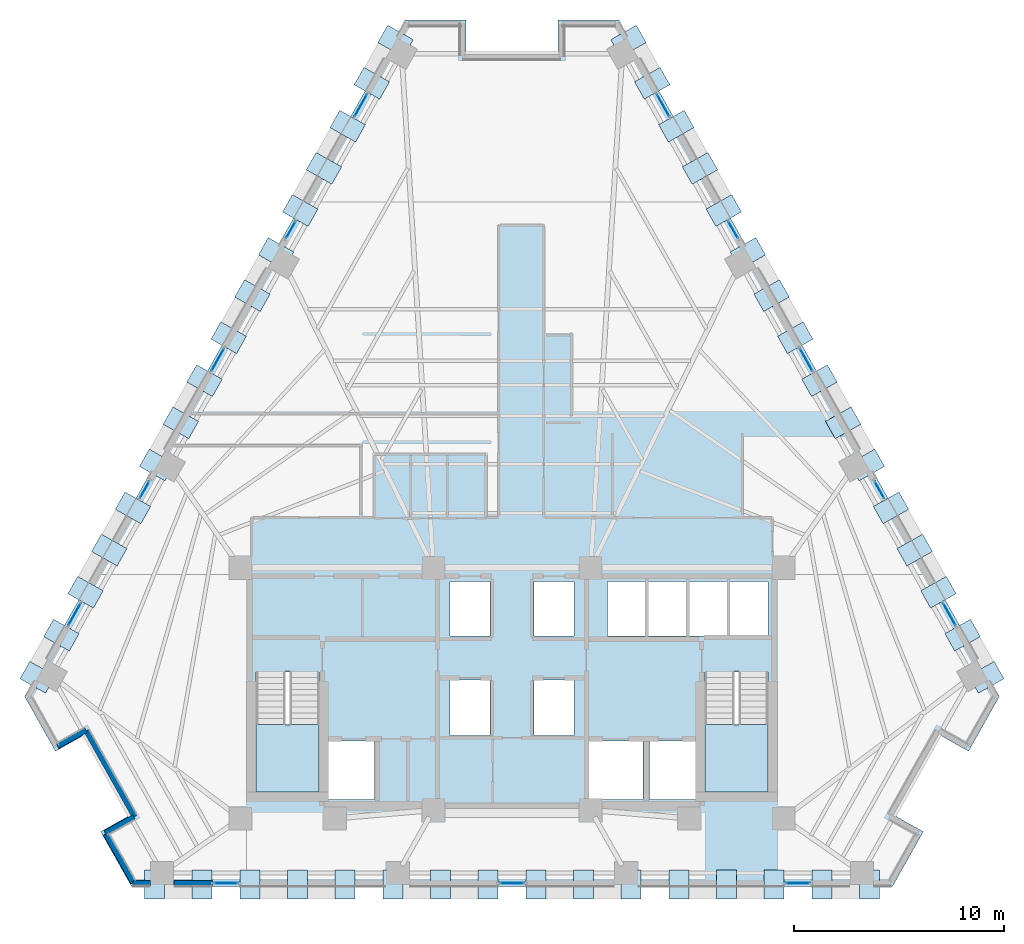
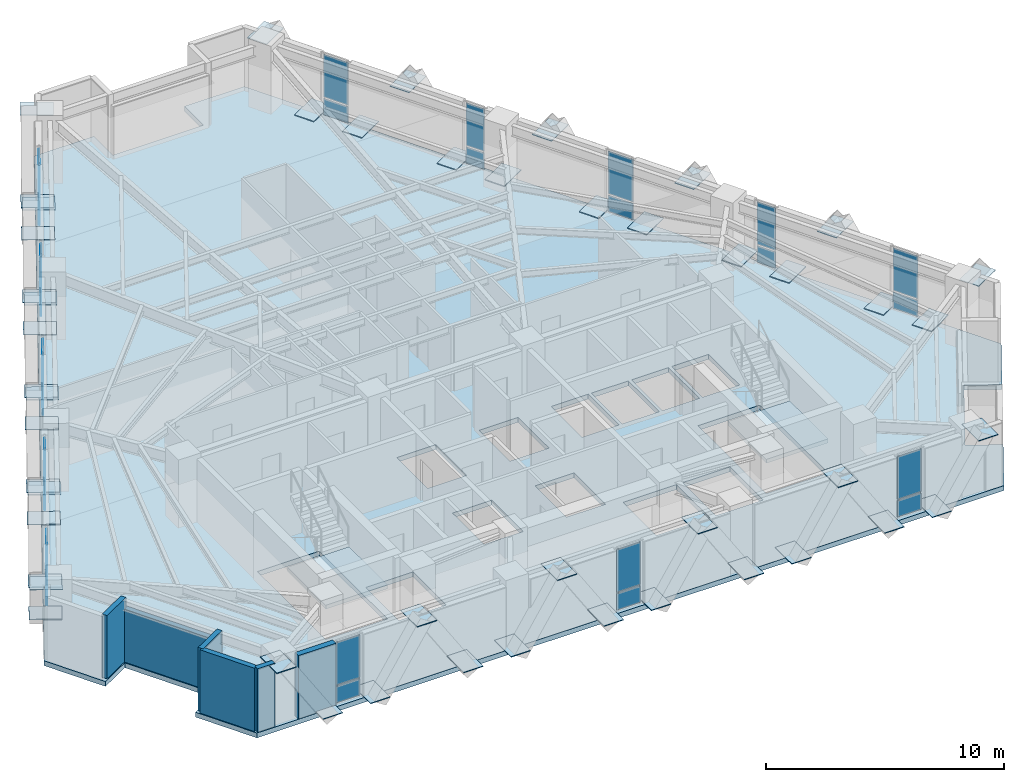
# One storey, part 6 of 13: 74 plates, 6 walls, 3 slabs, 15 elements without a shape of their own.
"""IFC4 building model written with IfcOpenShell, lengths in metres."""

from ifc_helpers import new_model, si_unit, direction, frame, frame_2d, origin, origin_2d, place, context, subcontext, project, spatial, polyline, rectangle, outline, extrude, material, layer, layer_set, type_object, element, aggregate, save


model = new_model("IFC4")

# Units and contexts
model_context = context("Model", 3, precision=1e-05, world=origin(), true_north=direction((0.0, 1.0)))
body_context = subcontext(model_context, "Body", "Model", "MODEL_VIEW")
ifc_project = project(units=[si_unit("LENGTHUNIT", "METRE"), si_unit("AREAUNIT", "SQUARE_METRE"), si_unit("VOLUMEUNIT", "CUBIC_METRE"), si_unit("PLANEANGLEUNIT", "RADIAN"), si_unit("MASSUNIT", "GRAM", prefix="KILO")], contexts=[model_context])

# Site, building, storey
site_placement = place(None, origin())
site = spatial("IfcSite", under=ifc_project, at=site_placement, CompositionType="ELEMENT")
building_placement = place(site_placement, origin())
building = spatial("IfcBuilding", under=site, at=building_placement, Name="Quenlor Broadcast Tower", CompositionType="ELEMENT")
storey_placement = place(building_placement, frame((0.0, 0.0, 105.5)))
storey = spatial("IfcBuildingStorey", under=building, at=storey_placement, Name="L28", CompositionType="ELEMENT", Elevation=105.5)

# Curtain wall, plates
ifc_material_1 = material(Name="Architectural Terracotta and Low-E Glazing", Category="masonry")
curtain_wall_type = type_object("IfcCurtainWallType", Name="Unitised Terracotta Curtain Wall System Z2", PredefinedType="NOTDEFINED", material=ifc_material_1)
curtain_wall_1_placement = place(storey_placement, origin())
curtain_wall_1 = element("IfcCurtainWall", 1, at=curtain_wall_1_placement, inside=storey, type_object=curtain_wall_type, Name="L28 Curtain Wall CW2 (L28-SA-G1)", PredefinedType="NOTDEFINED")
ifc_material_2 = material(Name="Double Glazed Low-E Solar Glass", Category="glass")
ifc_layer_1 = layer(ifc_material_2, 0.030029296875)
ifc_layer_set_1 = layer_set([ifc_layer_1], Name="CW2 Double Glazed Vision Panel 30")
plate_type_1 = type_object("IfcPlateType", Name="CW2 Double Glazed Vision Panel 30", PredefinedType="CURTAIN_PANEL", material=ifc_layer_set_1)
plate_1_placement = place(storey_placement, frame((13.63525390625, -19.840087890625, 0.074951171875), z_axis=(0.0, 0.0, 1.0), x_axis=(-1.0, 0.0, 0.0)))
plate_1 = element("IfcPlate", 2, at=plate_1_placement, type_object=plate_type_1, Name="CW2 panel 1.1", PredefinedType="CURTAIN_PANEL", context=body_context, shape_type="SweptSolid", body=[
    extrude(rectangle(XDim=1.1630859375, YDim=0.030029296875, at=origin_2d()), origin(), (0.0, 0.0, 1.0), 0.83740234375),
])
plate_2_placement = place(storey_placement, frame((13.63525390625, -19.840087890625, 0.987548828125), z_axis=(0.0, 0.0, 1.0), x_axis=(-1.0, 0.0, 0.0)))
plate_2 = element("IfcPlate", 3, at=plate_2_placement, type_object=plate_type_1, Name="CW2 panel 1.2", PredefinedType="CURTAIN_PANEL", context=body_context, shape_type="SweptSolid", body=[
    extrude(rectangle(XDim=1.1630859375, YDim=0.030029296875, at=origin_2d()), origin(), (0.0, 0.0, 1.0), 2.1875),
])
aggregate(curtain_wall_1, [plate_1, plate_2])

curtain_wall_2_placement = place(storey_placement, origin())
curtain_wall_2 = element("IfcCurtainWall", 4, at=curtain_wall_2_placement, inside=storey, type_object=curtain_wall_type, Name="L28 Curtain Wall CW2 (L28-SC-G1)", PredefinedType="NOTDEFINED")
plate_3_placement = place(storey_placement, frame((-13.63525390625, -19.840087890625, 0.074951171875), z_axis=(0.0, 0.0, 1.0), x_axis=(-1.0, 0.0, 0.0)))
plate_3 = element("IfcPlate", 5, at=plate_3_placement, type_object=plate_type_1, Name="CW2 panel 1.1", PredefinedType="CURTAIN_PANEL", context=body_context, shape_type="SweptSolid", body=[
    extrude(rectangle(XDim=1.1630859375, YDim=0.030029296875, at=origin_2d()), origin(), (0.0, 0.0, 1.0), 0.83740234375),
])
plate_4_placement = place(storey_placement, frame((-13.63525390625, -19.840087890625, 0.987548828125), z_axis=(0.0, 0.0, 1.0), x_axis=(-1.0, 0.0, 0.0)))
plate_4 = element("IfcPlate", 6, at=plate_4_placement, type_object=plate_type_1, Name="CW2 panel 1.2", PredefinedType="CURTAIN_PANEL", context=body_context, shape_type="SweptSolid", body=[
    extrude(rectangle(XDim=1.1630859375, YDim=0.030029296875, at=origin_2d()), origin(), (0.0, 0.0, 1.0), 2.1875),
])
aggregate(curtain_wall_2, [plate_3, plate_4])

curtain_wall_3_placement = place(storey_placement, origin())
curtain_wall_3 = element("IfcCurtainWall", 7, at=curtain_wall_3_placement, inside=storey, type_object=curtain_wall_type, Name="L28 Curtain Wall CW2 (L28-S-G1)", PredefinedType="NOTDEFINED")
plate_5_placement = place(storey_placement, frame((0.0, -19.840087890625, 0.074951171875), z_axis=(0.0, 0.0, 1.0), x_axis=(-1.0, 0.0, 0.0)))
plate_5 = element("IfcPlate", 8, at=plate_5_placement, type_object=plate_type_1, Name="CW2 panel 1.1", PredefinedType="CURTAIN_PANEL", context=body_context, shape_type="SweptSolid", body=[
    extrude(rectangle(XDim=1.1630859375, YDim=0.030029296875, at=origin_2d()), origin(), (0.0, 0.0, 1.0), 0.83740234375),
])
plate_6_placement = place(storey_placement, frame((0.0, -19.840087890625, 0.987548828125), z_axis=(0.0, 0.0, 1.0), x_axis=(-1.0, 0.0, 0.0)))
plate_6 = element("IfcPlate", 9, at=plate_6_placement, type_object=plate_type_1, Name="CW2 panel 1.2", PredefinedType="CURTAIN_PANEL", context=body_context, shape_type="SweptSolid", body=[
    extrude(rectangle(XDim=1.1630859375, YDim=0.030029296875, at=origin_2d()), origin(), (0.0, 0.0, 1.0), 2.1875),
])
aggregate(curtain_wall_3, [plate_5, plate_6])

curtain_wall_4_placement = place(storey_placement, origin())
curtain_wall_4 = element("IfcCurtainWall", 10, at=curtain_wall_4_placement, inside=storey, type_object=curtain_wall_type, Name="L28 Curtain Wall CW2 (L28-NEA-G1)", PredefinedType="NOTDEFINED")
plate_7_placement = place(storey_placement, frame((7.209228515625, 17.257080078125, 0.074951171875), z_axis=(0.0, 0.0, 1.0), x_axis=(0.490247320704, -0.871583366376, 0.0)))
plate_7 = element("IfcPlate", 11, at=plate_7_placement, type_object=plate_type_1, Name="CW2 panel 1.1", PredefinedType="CURTAIN_PANEL", context=body_context, shape_type="SweptSolid", body=[
    extrude(rectangle(XDim=1.21435546875, YDim=0.030029296875, at=origin_2d()), origin(), (0.0, 0.0, 1.0), 0.83740234375),
])
plate_8_placement = place(storey_placement, frame((7.209228515625, 17.257080078125, 0.987548828125), z_axis=(0.0, 0.0, 1.0), x_axis=(0.490247320704, -0.871583366376, 0.0)))
plate_8 = element("IfcPlate", 12, at=plate_8_placement, type_object=plate_type_1, Name="CW2 panel 1.2", PredefinedType="CURTAIN_PANEL", context=body_context, shape_type="SweptSolid", body=[
    extrude(rectangle(XDim=1.21435546875, YDim=0.030029296875, at=origin_2d()), origin(), (0.0, 0.0, 1.0), 2.1875),
])
aggregate(curtain_wall_4, [plate_7, plate_8])

curtain_wall_5_placement = place(storey_placement, origin())
curtain_wall_5 = element("IfcCurtainWall", 13, at=curtain_wall_5_placement, inside=storey, type_object=curtain_wall_type, Name="L28 Curtain Wall CW2 (L28-NEA-G2)", PredefinedType="NOTDEFINED")
plate_9_placement = place(storey_placement, frame((10.54736328125, 11.322998046875, 0.074951171875), z_axis=(0.0, 0.0, 1.0), x_axis=(0.490252261371, -0.871580587336, 0.0)))
plate_9 = element("IfcPlate", 14, at=plate_9_placement, type_object=plate_type_1, Name="CW2 panel 1.1", PredefinedType="CURTAIN_PANEL", context=body_context, shape_type="SweptSolid", body=[
    extrude(rectangle(XDim=0.90771484375, YDim=0.030029296875, at=origin_2d()), origin(), (0.0, 0.0, 1.0), 0.83740234375),
])
plate_10_placement = place(storey_placement, frame((10.54736328125, 11.322998046875, 0.987548828125), z_axis=(0.0, 0.0, 1.0), x_axis=(0.490252261371, -0.871580587336, 0.0)))
plate_10 = element("IfcPlate", 15, at=plate_10_placement, type_object=plate_type_1, Name="CW2 panel 1.2", PredefinedType="CURTAIN_PANEL", context=body_context, shape_type="SweptSolid", body=[
    extrude(rectangle(XDim=0.90771484375, YDim=0.030029296875, at=origin_2d()), origin(), (0.0, 0.0, 1.0), 2.1875),
])
aggregate(curtain_wall_5, [plate_9, plate_10])

curtain_wall_6_placement = place(storey_placement, origin())
curtain_wall_6 = element("IfcCurtainWall", 16, at=curtain_wall_6_placement, inside=storey, type_object=curtain_wall_type, Name="L28 Curtain Wall CW2 (L28-NEC-G1)", PredefinedType="NOTDEFINED")
plate_11_placement = place(storey_placement, frame((17.523681640625, -1.079833984375, 0.074951171875), z_axis=(0.0, 0.0, 1.0), x_axis=(0.490252261371, -0.871580587336, 0.0)))
plate_11 = element("IfcPlate", 17, at=plate_11_placement, type_object=plate_type_1, Name="CW2 panel 1.1", PredefinedType="CURTAIN_PANEL", context=body_context, shape_type="SweptSolid", body=[
    extrude(rectangle(XDim=0.90771484375, YDim=0.030029296875, at=origin_2d()), origin(), (0.0, 0.0, 1.0), 0.83740234375),
])
plate_12_placement = place(storey_placement, frame((17.523681640625, -1.079833984375, 0.987548828125), z_axis=(0.0, 0.0, 1.0), x_axis=(0.490252261371, -0.871580587336, 0.0)))
plate_12 = element("IfcPlate", 18, at=plate_12_placement, type_object=plate_type_1, Name="CW2 panel 1.2", PredefinedType="CURTAIN_PANEL", context=body_context, shape_type="SweptSolid", body=[
    extrude(rectangle(XDim=0.90771484375, YDim=0.030029296875, at=origin_2d()), origin(), (0.0, 0.0, 1.0), 2.1875),
])
aggregate(curtain_wall_6, [plate_11, plate_12])

curtain_wall_7_placement = place(storey_placement, origin())
curtain_wall_7 = element("IfcCurtainWall", 19, at=curtain_wall_7_placement, inside=storey, type_object=curtain_wall_type, Name="L28 Curtain Wall CW2 (L28-NEC-G2)", PredefinedType="NOTDEFINED")
plate_13_placement = place(storey_placement, frame((20.861572265625, -7.013916015625, 0.074951171875), z_axis=(0.0, 0.0, 1.0), x_axis=(0.490278639232, -0.871565749621, 0.0)))
plate_13 = element("IfcPlate", 20, at=plate_13_placement, type_object=plate_type_1, Name="CW2 panel 1.1", PredefinedType="CURTAIN_PANEL", context=body_context, shape_type="SweptSolid", body=[
    extrude(rectangle(XDim=1.21435546875, YDim=0.030029296875, at=origin_2d()), origin(), (0.0, 0.0, 1.0), 0.83740234375),
])
plate_14_placement = place(storey_placement, frame((20.861572265625, -7.013916015625, 0.987548828125), z_axis=(0.0, 0.0, 1.0), x_axis=(0.490278639232, -0.871565749621, 0.0)))
plate_14 = element("IfcPlate", 21, at=plate_14_placement, type_object=plate_type_1, Name="CW2 panel 1.2", PredefinedType="CURTAIN_PANEL", context=body_context, shape_type="SweptSolid", body=[
    extrude(rectangle(XDim=1.21435546875, YDim=0.030029296875, at=origin_2d()), origin(), (0.0, 0.0, 1.0), 2.1875),
])
aggregate(curtain_wall_7, [plate_13, plate_14])

curtain_wall_8_placement = place(storey_placement, origin())
curtain_wall_8 = element("IfcCurtainWall", 22, at=curtain_wall_8_placement, inside=storey, type_object=curtain_wall_type, Name="L28 Curtain Wall CW2 (L28-NE-G1)", PredefinedType="NOTDEFINED")
plate_15_placement = place(storey_placement, frame((14.035400390625, 5.12158203125, 0.074951171875), z_axis=(0.0, 0.0, 1.0), x_axis=(0.490254279037, -0.871579452423, 0.0)))
plate_15 = element("IfcPlate", 23, at=plate_15_placement, type_object=plate_type_1, Name="CW2 panel 1.1", PredefinedType="CURTAIN_PANEL", context=body_context, shape_type="SweptSolid", body=[
    extrude(rectangle(XDim=1.214111328125, YDim=0.030029296875, at=origin_2d()), origin(), (0.0, 0.0, 1.0), 0.83740234375),
])
plate_16_placement = place(storey_placement, frame((14.035400390625, 5.12158203125, 0.987548828125), z_axis=(0.0, 0.0, 1.0), x_axis=(0.490254279037, -0.871579452423, 0.0)))
plate_16 = element("IfcPlate", 24, at=plate_16_placement, type_object=plate_type_1, Name="CW2 panel 1.2", PredefinedType="CURTAIN_PANEL", context=body_context, shape_type="SweptSolid", body=[
    extrude(rectangle(XDim=1.214111328125, YDim=0.030029296875, at=origin_2d()), origin(), (0.0, 0.0, 1.0), 2.1875),
])
aggregate(curtain_wall_8, [plate_15, plate_16])

curtain_wall_9_placement = place(storey_placement, origin())
curtain_wall_9 = element("IfcCurtainWall", 25, at=curtain_wall_9_placement, inside=storey, type_object=curtain_wall_type, Name="L28 Curtain Wall CW2 (L28-NWA-G1)", PredefinedType="NOTDEFINED")
plate_17_placement = place(storey_placement, frame((-20.861572265625, -7.013916015625, 0.074951171875), z_axis=(0.0, 0.0, 1.0), x_axis=(0.490278639232, 0.871565749621, 0.0)))
plate_17 = element("IfcPlate", 26, at=plate_17_placement, type_object=plate_type_1, Name="CW2 panel 1.1", PredefinedType="CURTAIN_PANEL", context=body_context, shape_type="SweptSolid", body=[
    extrude(rectangle(XDim=1.21435546875, YDim=0.030029296875, at=origin_2d()), origin(), (0.0, 0.0, 1.0), 0.83740234375),
])
plate_18_placement = place(storey_placement, frame((-20.861572265625, -7.013916015625, 0.987548828125), z_axis=(0.0, 0.0, 1.0), x_axis=(0.490278639232, 0.871565749621, 0.0)))
plate_18 = element("IfcPlate", 27, at=plate_18_placement, type_object=plate_type_1, Name="CW2 panel 1.2", PredefinedType="CURTAIN_PANEL", context=body_context, shape_type="SweptSolid", body=[
    extrude(rectangle(XDim=1.21435546875, YDim=0.030029296875, at=origin_2d()), origin(), (0.0, 0.0, 1.0), 2.1875),
])
aggregate(curtain_wall_9, [plate_17, plate_18])

curtain_wall_10_placement = place(storey_placement, origin())
curtain_wall_10 = element("IfcCurtainWall", 28, at=curtain_wall_10_placement, inside=storey, type_object=curtain_wall_type, Name="L28 Curtain Wall CW2 (L28-NWA-G2)", PredefinedType="NOTDEFINED")
plate_19_placement = place(storey_placement, frame((-17.523681640625, -1.079833984375, 0.074951171875), z_axis=(0.0, 0.0, 1.0), x_axis=(0.490252261371, 0.871580587336, 0.0)))
plate_19 = element("IfcPlate", 29, at=plate_19_placement, type_object=plate_type_1, Name="CW2 panel 1.1", PredefinedType="CURTAIN_PANEL", context=body_context, shape_type="SweptSolid", body=[
    extrude(rectangle(XDim=0.90771484375, YDim=0.030029296875, at=origin_2d()), origin(), (0.0, 0.0, 1.0), 0.83740234375),
])
plate_20_placement = place(storey_placement, frame((-17.523681640625, -1.079833984375, 0.987548828125), z_axis=(0.0, 0.0, 1.0), x_axis=(0.490252261371, 0.871580587336, 0.0)))
plate_20 = element("IfcPlate", 30, at=plate_20_placement, type_object=plate_type_1, Name="CW2 panel 1.2", PredefinedType="CURTAIN_PANEL", context=body_context, shape_type="SweptSolid", body=[
    extrude(rectangle(XDim=0.90771484375, YDim=0.030029296875, at=origin_2d()), origin(), (0.0, 0.0, 1.0), 2.1875),
])
aggregate(curtain_wall_10, [plate_19, plate_20])

curtain_wall_11_placement = place(storey_placement, origin())
curtain_wall_11 = element("IfcCurtainWall", 31, at=curtain_wall_11_placement, inside=storey, type_object=curtain_wall_type, Name="L28 Curtain Wall CW2 (L28-NWC-G1)", PredefinedType="NOTDEFINED")
plate_21_placement = place(storey_placement, frame((-10.54736328125, 11.322998046875, 0.074951171875), z_axis=(0.0, 0.0, 1.0), x_axis=(0.490252261371, 0.871580587336, 0.0)))
plate_21 = element("IfcPlate", 32, at=plate_21_placement, type_object=plate_type_1, Name="CW2 panel 1.1", PredefinedType="CURTAIN_PANEL", context=body_context, shape_type="SweptSolid", body=[
    extrude(rectangle(XDim=0.90771484375, YDim=0.030029296875, at=origin_2d()), origin(), (0.0, 0.0, 1.0), 0.83740234375),
])
plate_22_placement = place(storey_placement, frame((-10.54736328125, 11.322998046875, 0.987548828125), z_axis=(0.0, 0.0, 1.0), x_axis=(0.490252261371, 0.871580587336, 0.0)))
plate_22 = element("IfcPlate", 33, at=plate_22_placement, type_object=plate_type_1, Name="CW2 panel 1.2", PredefinedType="CURTAIN_PANEL", context=body_context, shape_type="SweptSolid", body=[
    extrude(rectangle(XDim=0.90771484375, YDim=0.030029296875, at=origin_2d()), origin(), (0.0, 0.0, 1.0), 2.1875),
])
aggregate(curtain_wall_11, [plate_21, plate_22])

curtain_wall_12_placement = place(storey_placement, origin())
curtain_wall_12 = element("IfcCurtainWall", 34, at=curtain_wall_12_placement, inside=storey, type_object=curtain_wall_type, Name="L28 Curtain Wall CW2 (L28-NWC-G2)", PredefinedType="NOTDEFINED")
plate_23_placement = place(storey_placement, frame((-7.209228515625, 17.257080078125, 0.074951171875), z_axis=(0.0, 0.0, 1.0), x_axis=(0.490247320704, 0.871583366376, 0.0)))
plate_23 = element("IfcPlate", 35, at=plate_23_placement, type_object=plate_type_1, Name="CW2 panel 1.1", PredefinedType="CURTAIN_PANEL", context=body_context, shape_type="SweptSolid", body=[
    extrude(rectangle(XDim=1.21435546875, YDim=0.030029296875, at=origin_2d()), origin(), (0.0, 0.0, 1.0), 0.83740234375),
])
plate_24_placement = place(storey_placement, frame((-7.209228515625, 17.257080078125, 0.987548828125), z_axis=(0.0, 0.0, 1.0), x_axis=(0.490247320704, 0.871583366376, 0.0)))
plate_24 = element("IfcPlate", 36, at=plate_24_placement, type_object=plate_type_1, Name="CW2 panel 1.2", PredefinedType="CURTAIN_PANEL", context=body_context, shape_type="SweptSolid", body=[
    extrude(rectangle(XDim=1.21435546875, YDim=0.030029296875, at=origin_2d()), origin(), (0.0, 0.0, 1.0), 2.1875),
])
aggregate(curtain_wall_12, [plate_23, plate_24])

curtain_wall_13_placement = place(storey_placement, origin())
curtain_wall_13 = element("IfcCurtainWall", 37, at=curtain_wall_13_placement, inside=storey, type_object=curtain_wall_type, Name="L28 Curtain Wall CW2 (L28-NW-G1)", PredefinedType="NOTDEFINED")
plate_25_placement = place(storey_placement, frame((-14.035400390625, 5.12158203125, 0.074951171875), z_axis=(0.0, 0.0, 1.0), x_axis=(0.490254279037, 0.871579452423, 0.0)))
plate_25 = element("IfcPlate", 38, at=plate_25_placement, type_object=plate_type_1, Name="CW2 panel 1.1", PredefinedType="CURTAIN_PANEL", context=body_context, shape_type="SweptSolid", body=[
    extrude(rectangle(XDim=1.214111328125, YDim=0.030029296875, at=origin_2d()), origin(), (0.0, 0.0, 1.0), 0.83740234375),
])
plate_26_placement = place(storey_placement, frame((-14.035400390625, 5.12158203125, 0.987548828125), z_axis=(0.0, 0.0, 1.0), x_axis=(0.490254279037, 0.871579452423, 0.0)))
plate_26 = element("IfcPlate", 39, at=plate_26_placement, type_object=plate_type_1, Name="CW2 panel 1.2", PredefinedType="CURTAIN_PANEL", context=body_context, shape_type="SweptSolid", body=[
    extrude(rectangle(XDim=1.214111328125, YDim=0.030029296875, at=origin_2d()), origin(), (0.0, 0.0, 1.0), 2.1875),
])
aggregate(curtain_wall_13, [plate_25, plate_26])

# Stair, slab
ifc_material_3 = material(Name="Precast concrete C40/50", Category="concrete")
stair_type = type_object("IfcStairType", Name="Precast Concrete C40/50 Dogleg Stair H350", PredefinedType="HALF_TURN_STAIR", material=ifc_material_3)
stair_1_placement = place(storey_placement, origin())
stair_1 = element("IfcStair", 40, at=stair_1_placement, inside=storey, type_object=stair_type, Name="L28 West Core Fire-Isolated Exit Stair ST-1", PredefinedType="HALF_TURN_STAIR")
ifc_material_4 = material(Name="Precast concrete C40/50", Category="concrete")
ifc_layer_2 = layer(ifc_material_4, 0.199951171875)
ifc_layer_set_2 = layer_set([ifc_layer_2], Name="Precast Concrete C40/50 Stair Landing Slab 200")
slab_type_1 = type_object("IfcSlabType", Name="Precast Concrete C40/50 Stair Landing Slab 200", PredefinedType="LANDING", material=ifc_layer_set_2)
slab_1_placement = place(storey_placement, frame((0.0, 0.0, 1.550048828125)))
slab_1 = element("IfcSlab", 41, at=slab_1_placement, type_object=slab_type_1, Name="ST-1 landing 1", PredefinedType="LANDING", context=body_context, shape_type="SweptSolid", body=[
    extrude(outline(polyline([(-12.199951171875, -12.27001953125), (-12.199951171875, -15.5), (-9.199951171875, -15.5), (-9.199951171875, -12.27001953125), (-12.199951171875, -12.27001953125)])), origin(), (0.0, 0.0, 1.0), 0.199951171875),
])
aggregate(stair_1, [slab_1])

stair_2_placement = place(storey_placement, origin())
stair_2 = element("IfcStair", 42, at=stair_2_placement, inside=storey, type_object=stair_type, Name="L28 East Core Fire-Isolated Exit Stair ST-2", PredefinedType="HALF_TURN_STAIR")
slab_2_placement = place(storey_placement, frame((0.0, 0.0, 1.550048828125)))
slab_2 = element("IfcSlab", 43, at=slab_2_placement, type_object=slab_type_1, Name="ST-2 landing 1", PredefinedType="LANDING", context=body_context, shape_type="SweptSolid", body=[
    extrude(outline(polyline([(9.199951171875, -12.27001953125), (9.199951171875, -15.5), (12.199951171875, -15.5), (12.199951171875, -12.27001953125), (9.199951171875, -12.27001953125)])), origin(), (0.0, 0.0, 1.0), 0.199951171875),
])
aggregate(stair_2, [slab_2])

# Slab
ifc_material_5 = material(Name="Concrete C40/50", Category="concrete")
ifc_layer_3 = layer(ifc_material_5, 0.25)
ifc_layer_set_3 = layer_set([ifc_layer_3], Name="Tower Composite Concrete C40/50 Slab 250")
slab_type_2 = type_object("IfcSlabType", Name="Tower Composite Concrete C40/50 Slab 250", PredefinedType="FLOOR", material=ifc_layer_set_3)
slab_3_placement = place(storey_placement, frame((0.0, 0.0, -0.25)))
element("IfcSlab", 44, at=slab_3_placement, inside=storey, type_object=slab_type_2, Name="L28 Structural Floor Slab", PredefinedType="FLOOR", context=body_context, shape_type="SweptSolid", body=[
    extrude(outline(polyline([(18.14404296875, -20.0), (19.616943359375, -17.381591796875), (18.222412109375, -16.596923828125), (20.379638671875, -12.76220703125), (21.774169921875, -13.54638671875), (23.2470703125, -10.927978515625), (5.10302734375, 21.327880859375), (2.199951171875, 21.327880859375), (2.199951171875, 19.72802734375), (-2.199951171875, 19.72802734375), (-2.199951171875, 21.327880859375), (-5.10302734375, 21.327880859375), (-23.2470703125, -10.927978515625), (-21.774169921875, -13.54638671875), (-20.379638671875, -12.76220703125), (-18.222412109375, -16.596923828125), (-19.616943359375, -17.381591796875), (-18.14404296875, -20.0), (18.14404296875, -20.0)]), holes=[polyline([(-12.199951171875, -9.758056640625), (-12.199951171875, -15.5), (-9.199951171875, -15.5), (-9.199951171875, -9.758056640625), (-12.199951171875, -9.758056640625)]), polyline([(9.199951171875, -9.758056640625), (9.199951171875, -15.5), (12.199951171875, -15.5), (12.199951171875, -9.758056640625), (9.199951171875, -9.758056640625)]), polyline([(-2.949951171875, -8.050048828125), (-1.050048828125, -8.050048828125), (-1.050048828125, -5.449951171875), (-2.949951171875, -5.449951171875), (-2.949951171875, -8.050048828125)]), polyline([(1.050048828125, -8.050048828125), (2.949951171875, -8.050048828125), (2.949951171875, -5.449951171875), (1.050048828125, -5.449951171875), (1.050048828125, -8.050048828125)]), polyline([(-2.949951171875, -12.800048828125), (-1.050048828125, -12.800048828125), (-1.050048828125, -10.14990234375), (-2.949951171875, -10.14990234375), (-2.949951171875, -12.800048828125)]), polyline([(1.050048828125, -12.800048828125), (2.949951171875, -12.800048828125), (2.949951171875, -10.14990234375), (1.050048828125, -10.14990234375), (1.050048828125, -12.800048828125)]), polyline([(4.550048828125, -8.050048828125), (6.35009765625, -8.050048828125), (6.35009765625, -5.449951171875), (4.550048828125, -5.449951171875), (4.550048828125, -8.050048828125)]), polyline([(6.5, -8.050048828125), (8.300048828125, -8.050048828125), (8.300048828125, -5.449951171875), (6.5, -5.449951171875), (6.5, -8.050048828125)]), polyline([(8.449951171875, -8.050048828125), (10.25, -8.050048828125), (10.25, -5.449951171875), (8.449951171875, -5.449951171875), (8.449951171875, -8.050048828125)]), polyline([(10.39990234375, -8.050048828125), (12.199951171875, -8.050048828125), (12.199951171875, -5.449951171875), (10.39990234375, -5.449951171875), (10.39990234375, -8.050048828125)]), polyline([(-8.85009765625, -15.85009765625), (-6.550048828125, -15.85009765625), (-6.550048828125, -13.050048828125), (-8.85009765625, -13.050048828125), (-8.85009765625, -15.85009765625)]), polyline([(6.550048828125, -15.85009765625), (8.85009765625, -15.85009765625), (8.85009765625, -13.050048828125), (6.550048828125, -13.050048828125), (6.550048828125, -15.85009765625)]), polyline([(3.64990234375, -15.85009765625), (6.25, -15.85009765625), (6.25, -13.050048828125), (3.64990234375, -13.050048828125), (3.64990234375, -15.85009765625)])]), origin(), (0.0, 0.0, 1.0), 0.25),
])

# Plates
ifc_material_6 = material(Name="Steel S355", Category="steel")
ifc_layer_4 = layer(ifc_material_6, 0.035888671875)
ifc_layer_set_4 = layer_set([ifc_layer_4], Name="Transfer Truss Steel S355 Gusset Node Plate 1400x950x36")
plate_type_2 = type_object("IfcPlateType", Name="Transfer Truss Steel S355 Gusset Node Plate 1400x950x36", PredefinedType="SHEET", material=ifc_layer_set_4)
for number, where, z_axis, x_axis, name in (
    (45, (12.4853515625, -19.89990234375, 0.0419921875), (0.0, 0.0, 1.0), (0.0, -1.0, 0.0), "L28 Lattice Tie Gusset Node S-B2"),
    (46, (10.226318359375, -19.89990234375, 3.18212890625), (0.0, 0.0, 1.0), (0.0, -1.0, 0.0), "L28 Lattice Tie Gusset Node S-T3"),
    (47, (14.78515625, -19.89990234375, 0.0419921875), (0.0, 0.0, 1.0), (0.0, -1.0, 0.0), "L28 Lattice Tie Gusset Node S-B1"),
    (48, (17.0439453125, -19.89990234375, 3.18212890625), (0.0, 0.0, 1.0), (0.0, -1.0, 0.0), "L28 Lattice Tie Gusset Node S-T0"),
    (49, (5.667724609375, -19.89990234375, 0.0419921875), (0.0, 0.0, 1.0), (0.0, -1.0, 0.0), "L28 Lattice Tie Gusset Node S-B5"),
    (50, (3.40869140625, -19.89990234375, 3.18212890625), (0.0, 0.0, 1.0), (0.0, -1.0, 0.0), "L28 Lattice Tie Gusset Node S-T6"),
    (51, (7.967529296875, -19.89990234375, 0.0419921875), (0.0, 0.0, 1.0), (0.0, -1.0, 0.0), "L28 Lattice Tie Gusset Node S-B4"),
    (52, (-1.14990234375, -19.89990234375, 0.0419921875), (0.0, 0.0, 1.0), (0.0, -1.0, 0.0), "L28 Lattice Tie Gusset Node S-B8"),
    (53, (-3.40869140625, -19.89990234375, 3.18212890625), (0.0, 0.0, 1.0), (0.0, -1.0, 0.0), "L28 Lattice Tie Gusset Node S-T9"),
    (54, (1.14990234375, -19.89990234375, 0.0419921875), (0.0, 0.0, 1.0), (0.0, -1.0, 0.0), "L28 Lattice Tie Gusset Node S-B7"),
    (55, (-7.967529296875, -19.89990234375, 0.0419921875), (0.0, 0.0, 1.0), (0.0, -1.0, 0.0), "L28 Lattice Tie Gusset Node S-B11"),
    (56, (-10.226318359375, -19.89990234375, 3.18212890625), (0.0, 0.0, 1.0), (0.0, -1.0, 0.0), "L28 Lattice Tie Gusset Node S-T12"),
    (57, (-5.667724609375, -19.89990234375, 0.0419921875), (0.0, 0.0, 1.0), (0.0, -1.0, 0.0), "L28 Lattice Tie Gusset Node S-B10"),
    (58, (-14.78515625, -19.89990234375, 0.0419921875), (0.0, 0.0, 1.0), (0.0, -1.0, 0.0), "L28 Lattice Tie Gusset Node S-B14"),
    (59, (-17.0439453125, -19.89990234375, 3.18212890625), (0.0, 0.0, 1.0), (0.0, -1.0, 0.0), "L28 Lattice Tie Gusset Node S-T15"),
    (60, (-12.4853515625, -19.89990234375, 0.0419921875), (0.0, 0.0, 1.0), (0.0, -1.0, 0.0), "L28 Lattice Tie Gusset Node S-B13"),
    (61, (7.83740234375, 16.262939453125, 0.0419921875), (0.0, 0.0, 1.0), (0.871556314255, 0.490295412055, 0.0), "L28 Lattice Tie Gusset Node NE-B2"),
    (62, (8.96826171875, 14.252685546875, 3.18212890625), (0.0, 0.0, 1.0), (0.871556314255, 0.490295412055, 0.0), "L28 Lattice Tie Gusset Node NE-T3"),
    (63, (6.68603515625, 18.309814453125, 0.0419921875), (0.0, 0.0, 1.0), (0.871556314255, 0.490295412055, 0.0), "L28 Lattice Tie Gusset Node NE-B1"),
    (64, (5.55517578125, 20.3203125, 3.18212890625), (0.0, 0.0, 1.0), (0.871556314255, 0.490295412055, 0.0), "L28 Lattice Tie Gusset Node NE-T0"),
    (65, (11.25048828125, 10.1953125, 0.0419921875), (0.0, 0.0, 1.0), (0.871556314255, 0.490295412055, 0.0), "L28 Lattice Tie Gusset Node NE-B5"),
    (66, (12.38134765625, 8.184814453125, 3.18212890625), (0.0, 0.0, 1.0), (0.871556314255, 0.490295412055, 0.0), "L28 Lattice Tie Gusset Node NE-T6"),
    (67, (10.09912109375, 12.2421875, 0.0419921875), (0.0, 0.0, 1.0), (0.871556314255, 0.490295412055, 0.0), "L28 Lattice Tie Gusset Node NE-B4"),
    (68, (14.66357421875, 4.127685546875, 0.0419921875), (0.0, 0.0, 1.0), (0.871556314255, 0.490295412055, 0.0), "L28 Lattice Tie Gusset Node NE-B8"),
    (69, (15.794189453125, 2.1171875, 3.18212890625), (0.0, 0.0, 1.0), (0.871556314255, 0.490295412055, 0.0), "L28 Lattice Tie Gusset Node NE-T9"),
    (70, (13.51220703125, 6.17431640625, 0.0419921875), (0.0, 0.0, 1.0), (0.871556314255, 0.490295412055, 0.0), "L28 Lattice Tie Gusset Node NE-B7"),
    (71, (18.07666015625, -1.940185546875, 0.0419921875), (0.0, 0.0, 1.0), (0.871556314255, 0.490295412055, 0.0), "L28 Lattice Tie Gusset Node NE-B11"),
    (72, (19.20751953125, -3.950439453125, 3.18212890625), (0.0, 0.0, 1.0), (0.871556314255, 0.490295412055, 0.0), "L28 Lattice Tie Gusset Node NE-T12"),
    (73, (16.92529296875, 0.106689453125, 0.0419921875), (0.0, 0.0, 1.0), (0.871556314255, 0.490295412055, 0.0), "L28 Lattice Tie Gusset Node NE-B10"),
    (74, (21.489501953125, -8.0078125, 0.0419921875), (0.0, 0.0, 1.0), (0.871556314255, 0.490295412055, 0.0), "L28 Lattice Tie Gusset Node NE-B14"),
    (75, (22.62060546875, -10.018310546875, 3.18212890625), (0.0, 0.0, 1.0), (0.871556314255, 0.490295412055, 0.0), "L28 Lattice Tie Gusset Node NE-T15"),
    (76, (20.33837890625, -5.9609375, 0.0419921875), (0.0, 0.0, 1.0), (0.871556314255, 0.490295412055, 0.0), "L28 Lattice Tie Gusset Node NE-B13"),
    (77, (-20.33837890625, -5.9609375, 0.0419921875), (0.0, 0.0, 1.0), (-0.871556314255, 0.490295412055, 0.0), "L28 Lattice Tie Gusset Node NW-B2"),
    (78, (-19.20751953125, -3.950439453125, 3.18212890625), (0.0, 0.0, 1.0), (-0.871556314255, 0.490295412055, 0.0), "L28 Lattice Tie Gusset Node NW-T3"),
    (79, (-21.489501953125, -8.0078125, 0.0419921875), (0.0, 0.0, 1.0), (-0.871556314255, 0.490295412055, 0.0), "L28 Lattice Tie Gusset Node NW-B1"),
    (80, (-22.62060546875, -10.018310546875, 3.18212890625), (0.0, 0.0, 1.0), (-0.871556314255, 0.490295412055, 0.0), "L28 Lattice Tie Gusset Node NW-T0"),
    (81, (-16.92529296875, 0.106689453125, 0.0419921875), (0.0, 0.0, 1.0), (-0.871556314255, 0.490295412055, 0.0), "L28 Lattice Tie Gusset Node NW-B5"),
    (82, (-15.794189453125, 2.1171875, 3.18212890625), (0.0, 0.0, 1.0), (-0.871556314255, 0.490295412055, 0.0), "L28 Lattice Tie Gusset Node NW-T6"),
    (83, (-18.07666015625, -1.940185546875, 0.0419921875), (0.0, 0.0, 1.0), (-0.871556314255, 0.490295412055, 0.0), "L28 Lattice Tie Gusset Node NW-B4"),
    (84, (-13.51220703125, 6.17431640625, 0.0419921875), (0.0, 0.0, 1.0), (-0.871556314255, 0.490295412055, 0.0), "L28 Lattice Tie Gusset Node NW-B8"),
    (85, (-12.38134765625, 8.184814453125, 3.18212890625), (0.0, 0.0, 1.0), (-0.871556314255, 0.490295412055, 0.0), "L28 Lattice Tie Gusset Node NW-T9"),
    (86, (-14.66357421875, 4.127685546875, 0.0419921875), (0.0, 0.0, 1.0), (-0.871556314255, 0.490295412055, 0.0), "L28 Lattice Tie Gusset Node NW-B7"),
    (87, (-10.09912109375, 12.2421875, 0.0419921875), (0.0, 0.0, 1.0), (-0.871556314255, 0.490295412055, 0.0), "L28 Lattice Tie Gusset Node NW-B11"),
    (88, (-8.96826171875, 14.252685546875, 3.18212890625), (0.0, 0.0, 1.0), (-0.871556314255, 0.490295412055, 0.0), "L28 Lattice Tie Gusset Node NW-T12"),
    (89, (-11.25048828125, 10.1953125, 0.0419921875), (0.0, 0.0, 1.0), (-0.871556314255, 0.490295412055, 0.0), "L28 Lattice Tie Gusset Node NW-B10"),
    (90, (-6.68603515625, 18.309814453125, 0.0419921875), (0.0, 0.0, 1.0), (-0.871556314255, 0.490295412055, 0.0), "L28 Lattice Tie Gusset Node NW-B14"),
    (91, (-5.55517578125, 20.3203125, 3.18212890625), (0.0, 0.0, 1.0), (-0.871556314255, 0.490295412055, 0.0), "L28 Lattice Tie Gusset Node NW-T15"),
    (92, (-7.83740234375, 16.262939453125, 0.0419921875), (0.0, 0.0, 1.0), (-0.871556314255, 0.490295412055, 0.0), "L28 Lattice Tie Gusset Node NW-B13"),
):
    element("IfcPlate", number, at=place(storey_placement, frame(where, z_axis=z_axis, x_axis=x_axis)), inside=storey, type_object=plate_type_2, Name=name, PredefinedType="SHEET", context=body_context, shape_type="SweptSolid", body=[
        extrude(rectangle(XDim=1.39990234375, YDim=0.949951171875, at=origin_2d()), origin(), (0.0, 0.0, 1.0), 0.035888671875),
    ])

# Walls
ifc_material_7 = material(Name="Precast concrete C40/50", Category="concrete")
ifc_layer_5 = layer(ifc_material_7, 0.239990234375)
ifc_layer_set_5 = layer_set([ifc_layer_5], Name="Terrace Threshold Precast Concrete C40/50 Wall 240")
wall_type_1 = type_object("IfcWallType", Name="Terrace Threshold Precast Concrete C40/50 Wall 240", PredefinedType="STANDARD", material=ifc_layer_set_5)
wall_1_placement = place(storey_placement, frame((-17.24755859375, -19.840087890625, 0.0), z_axis=(0.0, 0.0, 1.0), x_axis=(-1.0, 0.0, 0.0)))
element("IfcWall", 93, at=wall_1_placement, inside=storey, type_object=wall_type_1, Name="L28 Exterior Wall L28-SHD-SS1", PredefinedType="STANDARD", context=body_context, shape_type="SweptSolid", body=[
    extrude(rectangle(XDim=0.83642578125, YDim=0.239990234375, at=frame_2d((0.418212890625, 0.0))), origin(), (0.0, 0.0, 1.0), 3.25),
])
wall_2_placement = place(storey_placement, frame((-21.67822265625, -13.30908203125, 0.0), z_axis=(0.0, 0.0, 1.0), x_axis=(0.871546278971, 0.490313250496, 0.0)))
element("IfcWall", 94, at=wall_2_placement, inside=storey, type_object=wall_type_1, Name="L28 Exterior Wall L28-CNR-13", PredefinedType="STANDARD", context=body_context, shape_type="SweptSolid", body=[
    extrude(rectangle(XDim=1.56005859375, YDim=0.239990234375, at=frame_2d((0.780029296875, 0.0))), origin(), (0.0, 0.0, 1.0), 3.25),
])
wall_3_placement = place(storey_placement, frame((-20.299072265625, -12.5791015625, 0.0), z_axis=(0.0, 0.0, 1.0), x_axis=(0.490313250496, -0.871546278971, 0.0)))
element("IfcWall", 95, at=wall_3_placement, inside=storey, type_object=wall_type_1, Name="L28 Exterior Wall L28-CNR-14", PredefinedType="STANDARD", context=body_context, shape_type="SweptSolid", body=[
    extrude(rectangle(XDim=4.679931640625, YDim=0.239990234375, at=frame_2d((2.33984375, 0.0))), origin(), (0.0, 0.0, 1.0), 2.7216796875),
])
wall_4_placement = place(storey_placement, frame((-18.039306640625, -16.677490234375, 0.0), z_axis=(0.0, 0.0, 1.0), x_axis=(-0.871546278971, -0.490313250496, 0.0)))
element("IfcWall", 96, at=wall_4_placement, inside=storey, type_object=wall_type_1, Name="L28 Exterior Wall L28-CNR-15", PredefinedType="STANDARD", context=body_context, shape_type="SweptSolid", body=[
    extrude(rectangle(XDim=1.56005859375, YDim=0.239990234375, at=frame_2d((0.780029296875, 0.0))), origin(), (0.0, 0.0, 1.0), 3.25),
])
wall_5_placement = place(storey_placement, frame((-19.37939453125, -17.477294921875, 0.0), z_axis=(0.0, 0.0, 1.0), x_axis=(0.49023085981, -0.871592625078, 0.0)))
element("IfcWall", 97, at=wall_5_placement, inside=storey, type_object=wall_type_1, Name="L28 Exterior Wall L28-CNR-16", PredefinedType="STANDARD", context=body_context, shape_type="SweptSolid", body=[
    extrude(rectangle(XDim=2.6708984375, YDim=0.239990234375, at=frame_2d((1.33544921875, 0.0))), origin(), (0.0, 0.0, 1.0), 3.25),
])
ifc_material_8 = material(Name="Precast concrete C40/50", Category="concrete")
ifc_layer_6 = layer(ifc_material_8, 0.280029296875)
ifc_layer_set_6 = layer_set([ifc_layer_6], Name="Terracotta Precast Concrete C40/50 Facade Wall 280")
wall_type_2 = type_object("IfcWallType", Name="Terracotta Precast Concrete C40/50 Facade Wall 280", PredefinedType="STANDARD", material=ifc_layer_set_6)
wall_6_placement = place(storey_placement, frame((-14.291748046875, -19.840087890625, 0.0), z_axis=(0.0, 0.0, 1.0), x_axis=(-1.0, 0.0, 0.0)))
element("IfcWall", 98, at=wall_6_placement, inside=storey, type_object=wall_type_2, Name="L28 Exterior Wall L28-SC-SP2", PredefinedType="STANDARD", context=body_context, shape_type="SweptSolid", body=[
    extrude(rectangle(XDim=1.82568359375, YDim=0.280029296875, at=frame_2d((0.912841796875, 0.0))), origin(), (0.0, 0.0, 1.0), 3.25),
])

save(model, "model.ifc")
